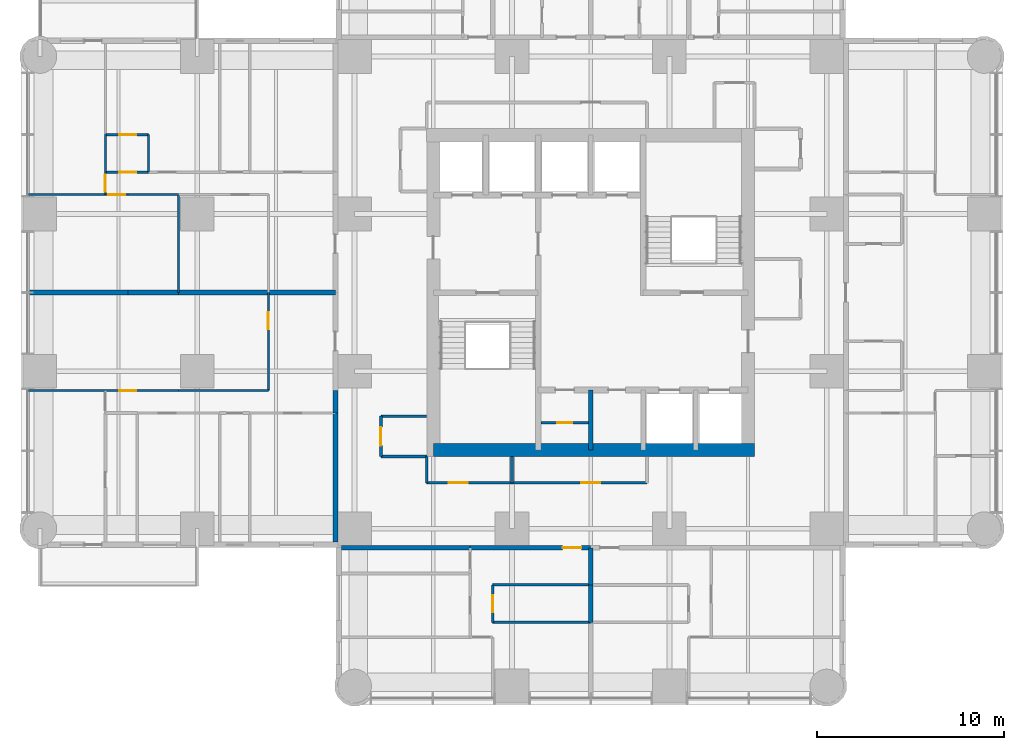
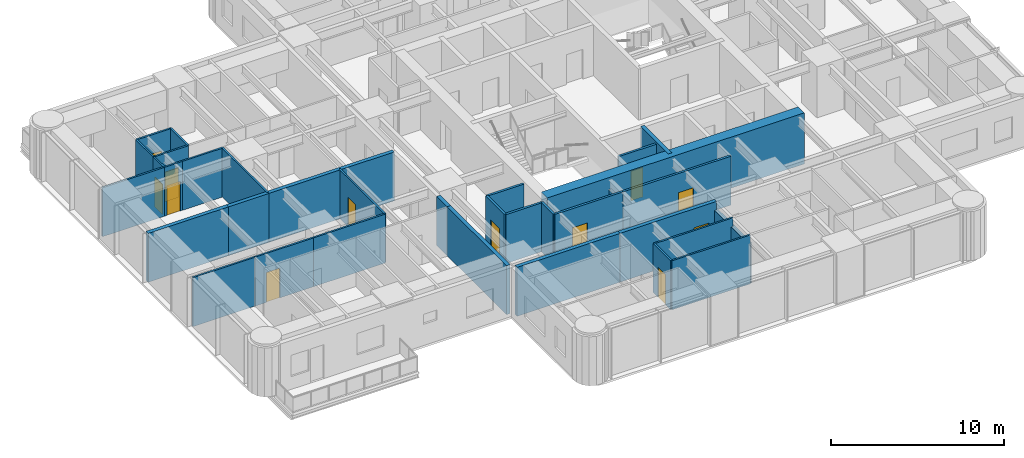
# One storey, part 5 of 11: 36 walls, 12 doors, 12 openings.
"""IFC4 building model written with IfcOpenShell, lengths in metres."""

from ifc_helpers import new_model, si_unit, direction, frame, frame_2d, origin, place, context, subcontext, project, spatial, rectangle, extrude, material, layer, layer_set, type_object, element, fill, save


model = new_model("IFC4")

# Units and contexts
model_context = context("Model", 3, precision=1e-05, world=origin(), true_north=direction((0.0, 1.0)))
body_context = subcontext(model_context, "Body", "Model", "MODEL_VIEW")
ifc_project = project(units=[si_unit("LENGTHUNIT", "METRE"), si_unit("AREAUNIT", "SQUARE_METRE"), si_unit("VOLUMEUNIT", "CUBIC_METRE"), si_unit("PLANEANGLEUNIT", "RADIAN"), si_unit("MASSUNIT", "GRAM", prefix="KILO")], contexts=[model_context])

# Site, building, storey
site_placement = place(None, origin())
site = spatial("IfcSite", under=ifc_project, at=site_placement, CompositionType="ELEMENT")
building_placement = place(site_placement, origin())
building = spatial("IfcBuilding", under=site, at=building_placement, Name="Torre Alcanfor", CompositionType="ELEMENT")
storey_placement = place(building_placement, frame((0.0, 0.0, 186.89990234375)))
storey = spatial("IfcBuildingStorey", under=building, at=storey_placement, Name="L48", CompositionType="ELEMENT", Elevation=186.89990234375)

# Wall, opening, door
ifc_material_1 = material(Name="Concrete block masonry, hollow blocks NMX-C-404 9 MPa", Category="masonry")
ifc_layer_1 = layer(ifc_material_1, 0.25)
ifc_layer_set_1 = layer_set([ifc_layer_1], Name="Apartment entrance wall 250 EI 60")
wall_type_1 = type_object("IfcWallType", Name="Apartment entrance wall 250 EI 60", PredefinedType="PARTITIONING", material=ifc_layer_set_1)
wall_1_placement = place(storey_placement, frame((29.39990234375, 15.77490234375, 0.0), z_axis=(0.0, 0.0, 1.0), x_axis=(-1.0, 0.0, 0.0)))
wall_1 = element("IfcWall", 1, at=wall_1_placement, inside=storey, type_object=wall_type_1, Name="Partition L48-CORR / L48-S2-LIVING", PredefinedType="PARTITIONING", context=body_context, shape_type="SweptSolid", body=[
    extrude(rectangle(XDim=6.428955078125, YDim=0.25, at=frame_2d((3.21435546875, 0.0))), origin(), (0.0, 0.0, 1.0), 3.4501953125),
])
opening_1_placement = place(wall_1_placement, frame((0.5, 0.0, 0.0)))
opening_1 = element("IfcOpeningElement", 2, at=opening_1_placement, cuts=wall_1, Name="Opening D-A1", PredefinedType="OPENING", context=body_context, shape_type="SweptSolid", body=[
    extrude(rectangle(XDim=1.0, YDim=2.10009765625, at=frame_2d((0.5, 1.050048828125))), frame((0.0, 0.135009765625, 0.0), z_axis=(0.0, -1.0, 0.0), x_axis=(1.0, 0.0, 0.0)), (0.0, 0.0, 1.0), 0.27001953125),
])
ifc_material_2 = material(Name="Galvanised steel sheet ASTM A653", Category="steel")
door_type_1 = type_object("IfcDoorType", Name="Apartment entrance door FD60 1000x2100", OperationType="SINGLE_SWING_LEFT", PredefinedType="DOOR", material=ifc_material_2)
door_1_placement = place(opening_1_placement, origin())
door_1 = element("IfcDoor", 3, at=door_1_placement, inside=storey, type_object=door_type_1, Name="Apartment entrance L48-S2", OperationType="SINGLE_SWING_LEFT", OverallHeight=2.10009765625, OverallWidth=1.0, PredefinedType="DOOR", context=body_context, shape_type="SweptSolid", body=[
    extrude(rectangle(XDim=1.0, YDim=2.10009765625, at=frame_2d((0.5, 1.050048828125))), frame((0.0, 0.02490234375, 0.0), z_axis=(0.0, -1.0, 0.0), x_axis=(1.0, 0.0, 0.0)), (0.0, 0.0, 1.0), 0.050048828125),
])
fill(opening_1, door_1)

# Walls
wall_2_placement = place(storey_placement, frame((22.970947265625, 15.77490234375, 0.0), z_axis=(0.0, 0.0, 1.0), x_axis=(-1.0, 0.0, 0.0)))
element("IfcWall", 4, at=wall_2_placement, inside=storey, type_object=wall_type_1, Name="Partition L48-CORR / L48-S2-BATH", PredefinedType="PARTITIONING", context=body_context, shape_type="SweptSolid", body=[
    extrude(rectangle(XDim=6.870849609375, YDim=0.25, at=frame_2d((3.435546875, 0.0))), origin(), (0.0, 0.0, 1.0), 3.4501953125),
])
wall_3_placement = place(storey_placement, frame((15.77490234375, 22.970947265625, 0.0), z_axis=(0.0, 0.0, 1.0), x_axis=(0.0, 1.0, 0.0)))
element("IfcWall", 5, at=wall_3_placement, inside=storey, type_object=wall_type_1, Name="Partition L48-CORR / L48-W1-HALL", PredefinedType="PARTITIONING", context=body_context, shape_type="SweptSolid", body=[
    extrude(rectangle(XDim=1.199951171875, YDim=0.25, at=frame_2d((0.60009765625, 0.0))), origin(), (0.0, 0.0, 1.0), 3.4501953125),
])
wall_4_placement = place(storey_placement, frame((15.77490234375, 16.10009765625, 0.0), z_axis=(0.0, 0.0, 1.0), x_axis=(0.0, 1.0, 0.0)))
element("IfcWall", 6, at=wall_4_placement, inside=storey, type_object=wall_type_1, Name="Partition L48-CORR / L48-W1-BED3", PredefinedType="PARTITIONING", context=body_context, shape_type="SweptSolid", body=[
    extrude(rectangle(XDim=6.870849609375, YDim=0.25, at=frame_2d((3.435546875, 0.0))), origin(), (0.0, 0.0, 1.0), 3.4501953125),
])
ifc_material_3 = material(Name="Gypsum board on steel studs", Category="steel")
ifc_layer_2 = layer(ifc_material_3, 0.1201171875)
ifc_layer_set_2 = layer_set([ifc_layer_2], Name="Apartment partition 120")
wall_type_2 = type_object("IfcWallType", Name="Apartment partition 120", PredefinedType="PARTITIONING", material=ifc_layer_set_2)
wall_5_placement = place(storey_placement, frame((29.39990234375, 11.800048828125, 0.0), z_axis=(0.0, 0.0, 1.0), x_axis=(-1.0, 0.0, 0.0)))
element("IfcWall", 7, at=wall_5_placement, inside=storey, type_object=wall_type_2, Name="Partition L48-S2-KITCHEN / L48-S2-LIVING", PredefinedType="PARTITIONING", context=body_context, shape_type="SweptSolid", body=[
    extrude(rectangle(XDim=5.22900390625, YDim=0.1201171875, at=frame_2d((2.614501953125, 0.0))), origin(), (0.0, 0.0, 1.0), 3.4501953125),
])

# Wall, opening, door
wall_6_placement = place(storey_placement, frame((24.1708984375, 11.800048828125, 0.0), z_axis=(0.0, 0.0, 1.0), x_axis=(0.0, 1.0, 0.0)))
wall_6 = element("IfcWall", 8, at=wall_6_placement, inside=storey, type_object=wall_type_2, Name="Partition L48-S2-KITCHEN / L48-S2-LIVING", PredefinedType="PARTITIONING", context=body_context, shape_type="SweptSolid", body=[
    extrude(rectangle(XDim=2.0, YDim=0.1201171875, at=frame_2d((1.0, 0.0))), origin(), (0.0, 0.0, 1.0), 3.4501953125),
])
opening_2_placement = place(wall_6_placement, frame((0.550048828125, 0.0, 0.0)))
opening_2 = element("IfcOpeningElement", 9, at=opening_2_placement, cuts=wall_6, Name="Opening D-R1", PredefinedType="OPENING", context=body_context, shape_type="SweptSolid", body=[
    extrude(rectangle(XDim=0.89990234375, YDim=2.10009765625, at=frame_2d((0.449951171875, 1.050048828125))), frame((0.0, 0.070068359375, 0.0), z_axis=(0.0, -1.0, 0.0), x_axis=(1.0, 0.0, 0.0)), (0.0, 0.0, 1.0), 0.14013671875),
])
ifc_material_4 = material(Name="Timber", Category="wood")
door_type_2 = type_object("IfcDoorType", Name="Internal door 900x2100", OperationType="SINGLE_SWING_LEFT", PredefinedType="DOOR", material=ifc_material_4)
door_2_placement = place(opening_2_placement, frame((0.89990234375, 0.0, 0.0), z_axis=(0.0, 0.0, 1.0), x_axis=(-1.0, 0.0, 0.0)))
door_2 = element("IfcDoor", 10, at=door_2_placement, inside=storey, type_object=door_type_2, Name="Door L48-S2 kitchen", OperationType="SINGLE_SWING_RIGHT", OverallHeight=2.10009765625, OverallWidth=0.89990234375, PredefinedType="DOOR", context=body_context, shape_type="SweptSolid", body=[
    extrude(rectangle(XDim=0.89990234375, YDim=2.10009765625, at=frame_2d((0.449951171875, 1.050048828125))), frame((0.0, 0.025146484375, 0.0), z_axis=(0.0, -1.0, 0.0), x_axis=(1.0, 0.0, 0.0)), (0.0, 0.0, 1.0), 0.050048828125),
])
fill(opening_2, door_2)

# Wall
wall_7_placement = place(storey_placement, frame((24.1708984375, 13.800048828125, 0.0), z_axis=(0.0, 0.0, 1.0), x_axis=(1.0, 0.0, 0.0)))
element("IfcWall", 11, at=wall_7_placement, inside=storey, type_object=wall_type_2, Name="Partition L48-S2-KITCHEN / L48-S2-LIVING", PredefinedType="PARTITIONING", context=body_context, shape_type="SweptSolid", body=[
    extrude(rectangle(XDim=5.22900390625, YDim=0.1201171875, at=frame_2d((2.614501953125, 0.0))), origin(), (0.0, 0.0, 1.0), 3.4501953125),
])

# Wall, opening, door
wall_8_placement = place(storey_placement, frame((12.199951171875, 29.39990234375, 0.0), z_axis=(0.0, 0.0, 1.0), x_axis=(0.0, -1.0, 0.0)))
wall_8 = element("IfcWall", 12, at=wall_8_placement, inside=storey, type_object=wall_type_2, Name="Partition L48-W1-ZAG / L48-W1-KITCHEN", PredefinedType="PARTITIONING", context=body_context, shape_type="SweptSolid", body=[
    extrude(rectangle(XDim=5.22900390625, YDim=0.1201171875, at=frame_2d((2.614501953125, 0.0))), origin(), (0.0, 0.0, 1.0), 3.4501953125),
])
opening_3_placement = place(wall_8_placement, frame((1.050048828125, 0.0, 0.0)))
opening_3 = element("IfcOpeningElement", 13, at=opening_3_placement, cuts=wall_8, Name="Opening D-R1", PredefinedType="OPENING", context=body_context, shape_type="SweptSolid", body=[
    extrude(rectangle(XDim=0.89990234375, YDim=2.10009765625, at=frame_2d((0.449951171875, 1.050048828125))), frame((0.0, 0.070068359375, 0.0), z_axis=(0.0, -1.0, 0.0), x_axis=(1.0, 0.0, 0.0)), (0.0, 0.0, 1.0), 0.14013671875),
])
door_3_placement = place(opening_3_placement, frame((0.89990234375, 0.0, 0.0), z_axis=(0.0, 0.0, 1.0), x_axis=(-1.0, 0.0, 0.0)))
door_3 = element("IfcDoor", 14, at=door_3_placement, inside=storey, type_object=door_type_2, Name="Door L48-W1 kitchen", OperationType="SINGLE_SWING_RIGHT", OverallHeight=2.10009765625, OverallWidth=0.89990234375, PredefinedType="DOOR", context=body_context, shape_type="SweptSolid", body=[
    extrude(rectangle(XDim=0.89990234375, YDim=2.10009765625, at=frame_2d((0.449951171875, 1.050048828125))), frame((0.0, 0.025146484375, 0.0), z_axis=(0.0, -1.0, 0.0), x_axis=(1.0, 0.0, 0.0)), (0.0, 0.0, 1.0), 0.050048828125),
])
fill(opening_3, door_3)

# Wall
wall_9_placement = place(storey_placement, frame((7.39990234375, 24.1708984375, 0.0), z_axis=(0.0, 0.0, 1.0), x_axis=(1.0, 0.0, 0.0)))
element("IfcWall", 15, at=wall_9_placement, inside=storey, type_object=wall_type_2, Name="Partition L48-W1-KITCHEN / L48-W1-HALL", PredefinedType="PARTITIONING", context=body_context, shape_type="SweptSolid", body=[
    extrude(rectangle(XDim=4.800048828125, YDim=0.1201171875, at=frame_2d((2.39990234375, 0.0))), origin(), (0.0, 0.0, 1.0), 3.4501953125),
])

# Wall, opening, door
wall_10_placement = place(storey_placement, frame((3.5, 24.1708984375, 0.0), z_axis=(0.0, 0.0, 1.0), x_axis=(1.0, 0.0, 0.0)))
wall_10 = element("IfcWall", 16, at=wall_10_placement, inside=storey, type_object=wall_type_2, Name="Partition L48-W1-LIVING / L48-W1-HALL", PredefinedType="PARTITIONING", context=body_context, shape_type="SweptSolid", body=[
    extrude(rectangle(XDim=3.89990234375, YDim=0.1201171875, at=frame_2d((1.949951171875, 0.0))), origin(), (0.0, 0.0, 1.0), 3.4501953125),
])
opening_4_placement = place(wall_10_placement, frame((0.75, 0.0, 0.0)))
opening_4 = element("IfcOpeningElement", 17, at=opening_4_placement, cuts=wall_10, Name="Opening D-R1", PredefinedType="OPENING", context=body_context, shape_type="SweptSolid", body=[
    extrude(rectangle(XDim=0.89990234375, YDim=2.10009765625, at=frame_2d((0.449951171875, 1.050048828125))), frame((0.0, 0.070068359375, 0.0), z_axis=(0.0, -1.0, 0.0), x_axis=(1.0, 0.0, 0.0)), (0.0, 0.0, 1.0), 0.14013671875),
])
door_4_placement = place(opening_4_placement, origin())
door_4 = element("IfcDoor", 18, at=door_4_placement, inside=storey, type_object=door_type_2, Name="Door L48-W1 living", OperationType="SINGLE_SWING_RIGHT", OverallHeight=2.10009765625, OverallWidth=0.89990234375, PredefinedType="DOOR", context=body_context, shape_type="SweptSolid", body=[
    extrude(rectangle(XDim=0.89990234375, YDim=2.10009765625, at=frame_2d((0.449951171875, 1.050048828125))), frame((0.0, 0.02490234375, 0.0), z_axis=(0.0, -1.0, 0.0), x_axis=(1.0, 0.0, 0.0)), (0.0, 0.0, 1.0), 0.050048828125),
])
fill(opening_4, door_4)

# Walls
wall_11_placement = place(storey_placement, frame((-0.64990234375, 24.1708984375, 0.0), z_axis=(0.0, 0.0, 1.0), x_axis=(1.0, 0.0, 0.0)))
element("IfcWall", 19, at=wall_11_placement, inside=storey, type_object=wall_type_2, Name="Partition L48-W1-LIVING / L48-W1-MASTER", PredefinedType="PARTITIONING", context=body_context, shape_type="SweptSolid", body=[
    extrude(rectangle(XDim=4.14990234375, YDim=0.1201171875, at=frame_2d((2.074951171875, 0.0))), origin(), (0.0, 0.0, 1.0), 3.4501953125),
])
wall_12_placement = place(storey_placement, frame((7.39990234375, 29.39990234375, 0.0), z_axis=(0.0, 0.0, 1.0), x_axis=(0.0, 1.0, 0.0)))
element("IfcWall", 20, at=wall_12_placement, inside=storey, type_object=wall_type_2, Name="Partition L48-W2-FAMILY / L48-W2-KITCHEN", PredefinedType="PARTITIONING", context=body_context, shape_type="SweptSolid", body=[
    extrude(rectangle(XDim=5.22900390625, YDim=0.1201171875, at=frame_2d((2.614501953125, 0.0))), origin(), (0.0, 0.0, 1.0), 3.4501953125),
])
wall_13_placement = place(storey_placement, frame((4.699951171875, 34.62890625, 0.0), z_axis=(0.0, 0.0, 1.0), x_axis=(1.0, 0.0, 0.0)))
element("IfcWall", 21, at=wall_13_placement, inside=storey, type_object=wall_type_2, Name="Partition L48-W2-KITCHEN / L48-W2-HALL", PredefinedType="PARTITIONING", context=body_context, shape_type="SweptSolid", body=[
    extrude(rectangle(XDim=2.699951171875, YDim=0.1201171875, at=frame_2d((1.35009765625, 0.0))), origin(), (0.0, 0.0, 1.0), 3.4501953125),
])

# Wall, opening, door
wall_14_placement = place(storey_placement, frame((3.5, 34.62890625, 0.0), z_axis=(0.0, 0.0, 1.0), x_axis=(1.0, 0.0, 0.0)))
wall_14 = element("IfcWall", 22, at=wall_14_placement, inside=storey, type_object=wall_type_2, Name="Partition L48-W2-LIVING / L48-W2-HALL", PredefinedType="PARTITIONING", context=body_context, shape_type="SweptSolid", body=[
    extrude(rectangle(XDim=1.199951171875, YDim=0.1201171875, at=frame_2d((0.60009765625, 0.0))), origin(), (0.0, 0.0, 1.0), 3.4501953125),
])
opening_5_placement = place(wall_14_placement, frame((0.14990234375, 0.0, 0.0)))
opening_5 = element("IfcOpeningElement", 23, at=opening_5_placement, cuts=wall_14, Name="Opening D-R1", PredefinedType="OPENING", context=body_context, shape_type="SweptSolid", body=[
    extrude(rectangle(XDim=0.89990234375, YDim=2.10009765625, at=frame_2d((0.449951171875, 1.050048828125))), frame((0.0, 0.070068359375, 0.0), z_axis=(0.0, -1.0, 0.0), x_axis=(1.0, 0.0, 0.0)), (0.0, 0.0, 1.0), 0.14013671875),
])
door_5_placement = place(opening_5_placement, frame((0.89990234375, 0.0, 0.0), z_axis=(0.0, 0.0, 1.0), x_axis=(-1.0, 0.0, 0.0)))
door_5 = element("IfcDoor", 24, at=door_5_placement, inside=storey, type_object=door_type_2, Name="Door L48-W2 living", OperationType="SINGLE_SWING_LEFT", OverallHeight=2.10009765625, OverallWidth=0.89990234375, PredefinedType="DOOR", context=body_context, shape_type="SweptSolid", body=[
    extrude(rectangle(XDim=0.89990234375, YDim=2.10009765625, at=frame_2d((0.449951171875, 1.050048828125))), frame((0.0, 0.025146484375, 0.0), z_axis=(0.0, -1.0, 0.0), x_axis=(1.0, 0.0, 0.0)), (0.0, 0.0, 1.0), 0.050048828125),
])
fill(opening_5, door_5)

# Wall
wall_15_placement = place(storey_placement, frame((-0.64990234375, 34.62890625, 0.0), z_axis=(0.0, 0.0, 1.0), x_axis=(1.0, 0.0, 0.0)))
element("IfcWall", 25, at=wall_15_placement, inside=storey, type_object=wall_type_2, Name="Partition L48-W2-LIVING / L48-W2-WGARD", PredefinedType="PARTITIONING", context=body_context, shape_type="SweptSolid", body=[
    extrude(rectangle(XDim=4.14990234375, YDim=0.1201171875, at=frame_2d((2.074951171875, 0.0))), origin(), (0.0, 0.0, 1.0), 3.4501953125),
])

# Wall, opening, door
wall_16_placement = place(storey_placement, frame((3.5, 35.8291015625, 0.0), z_axis=(0.0, 0.0, 1.0), x_axis=(1.0, 0.0, 0.0)))
wall_16 = element("IfcWall", 26, at=wall_16_placement, inside=storey, type_object=wall_type_2, Name="Partition L48-W2-HALL / L48-W2-VEST", PredefinedType="PARTITIONING", context=body_context, shape_type="SweptSolid", body=[
    extrude(rectangle(XDim=2.300048828125, YDim=0.1201171875, at=frame_2d((1.14990234375, 0.0))), origin(), (0.0, 0.0, 1.0), 3.4501953125),
])
opening_6_placement = place(wall_16_placement, frame((0.75, 0.0, 0.0)))
opening_6 = element("IfcOpeningElement", 27, at=opening_6_placement, cuts=wall_16, Name="Opening D-R1", PredefinedType="OPENING", context=body_context, shape_type="SweptSolid", body=[
    extrude(rectangle(XDim=0.89990234375, YDim=2.10009765625, at=frame_2d((0.449951171875, 1.050048828125))), frame((0.0, 0.070068359375, 0.0), z_axis=(0.0, -1.0, 0.0), x_axis=(1.0, 0.0, 0.0)), (0.0, 0.0, 1.0), 0.14013671875),
])
door_6_placement = place(opening_6_placement, origin())
door_6 = element("IfcDoor", 28, at=door_6_placement, inside=storey, type_object=door_type_2, Name="Door L48-W2 vest", OperationType="SINGLE_SWING_RIGHT", OverallHeight=2.10009765625, OverallWidth=0.89990234375, PredefinedType="DOOR", context=body_context, shape_type="SweptSolid", body=[
    extrude(rectangle(XDim=0.89990234375, YDim=2.10009765625, at=frame_2d((0.449951171875, 1.050048828125))), frame((0.0, 0.02490234375, 0.0), z_axis=(0.0, -1.0, 0.0), x_axis=(1.0, 0.0, 0.0)), (0.0, 0.0, 1.0), 0.050048828125),
])
fill(opening_6, door_6)

wall_17_placement = place(storey_placement, frame((3.5, 34.62890625, 0.0), z_axis=(0.0, 0.0, 1.0), x_axis=(0.0, 1.0, 0.0)))
wall_17 = element("IfcWall", 29, at=wall_17_placement, inside=storey, type_object=wall_type_2, Name="Partition L48-W2-HALL / L48-W2-WGARD", PredefinedType="PARTITIONING", context=body_context, shape_type="SweptSolid", body=[
    extrude(rectangle(XDim=1.2001953125, YDim=0.1201171875, at=frame_2d((0.60009765625, 0.0))), origin(), (0.0, 0.0, 1.0), 3.4501953125),
])
opening_7_placement = place(wall_17_placement, frame((0.15087890625, 0.0, 0.0)))
opening_7 = element("IfcOpeningElement", 30, at=opening_7_placement, cuts=wall_17, Name="Opening D-R1", PredefinedType="OPENING", context=body_context, shape_type="SweptSolid", body=[
    extrude(rectangle(XDim=0.89990234375, YDim=2.10009765625, at=frame_2d((0.449951171875, 1.050048828125))), frame((0.0, 0.070068359375, 0.0), z_axis=(0.0, -1.0, 0.0), x_axis=(1.0, 0.0, 0.0)), (0.0, 0.0, 1.0), 0.14013671875),
])
door_7_placement = place(opening_7_placement, origin())
door_7 = element("IfcDoor", 31, at=door_7_placement, inside=storey, type_object=door_type_2, Name="Door L48-W2 wgard", OperationType="SINGLE_SWING_LEFT", OverallHeight=2.10009765625, OverallWidth=0.89990234375, PredefinedType="DOOR", context=body_context, shape_type="SweptSolid", body=[
    extrude(rectangle(XDim=0.89990234375, YDim=2.10009765625, at=frame_2d((0.449951171875, 1.050048828125))), frame((0.0, 0.02490234375, 0.0), z_axis=(0.0, -1.0, 0.0), x_axis=(1.0, 0.0, 0.0)), (0.0, 0.0, 1.0), 0.050048828125),
])
fill(opening_7, door_7)

# Wall
wall_18_placement = place(storey_placement, frame((5.800048828125, 35.8291015625, 0.0), z_axis=(0.0, 0.0, 1.0), x_axis=(0.0, 1.0, 0.0)))
element("IfcWall", 32, at=wall_18_placement, inside=storey, type_object=wall_type_2, Name="Partition L48-W2-MASTER / L48-W2-VEST", PredefinedType="PARTITIONING", context=body_context, shape_type="SweptSolid", body=[
    extrude(rectangle(XDim=2.0, YDim=0.1201171875, at=frame_2d((1.0, 0.0))), origin(), (0.0, 0.0, 1.0), 3.4501953125),
])

# Wall, opening, door
wall_19_placement = place(storey_placement, frame((5.800048828125, 37.8291015625, 0.0), z_axis=(0.0, 0.0, 1.0), x_axis=(-1.0, 0.0, 0.0)))
wall_19 = element("IfcWall", 33, at=wall_19_placement, inside=storey, type_object=wall_type_2, Name="Partition L48-W2-MASTER / L48-W2-VEST", PredefinedType="PARTITIONING", context=body_context, shape_type="SweptSolid", body=[
    extrude(rectangle(XDim=2.300048828125, YDim=0.1201171875, at=frame_2d((1.14990234375, 0.0))), origin(), (0.0, 0.0, 1.0), 3.4501953125),
])
opening_8_placement = place(wall_19_placement, frame((0.64990234375, 0.0, 0.0)))
opening_8 = element("IfcOpeningElement", 34, at=opening_8_placement, cuts=wall_19, Name="Opening D-R1", PredefinedType="OPENING", context=body_context, shape_type="SweptSolid", body=[
    extrude(rectangle(XDim=0.89990234375, YDim=2.10009765625, at=frame_2d((0.449951171875, 1.050048828125))), frame((0.0, 0.070068359375, 0.0), z_axis=(0.0, -1.0, 0.0), x_axis=(1.0, 0.0, 0.0)), (0.0, 0.0, 1.0), 0.14013671875),
])
door_8_placement = place(opening_8_placement, origin())
door_8 = element("IfcDoor", 35, at=door_8_placement, inside=storey, type_object=door_type_2, Name="Door L48-W2 master", OperationType="SINGLE_SWING_LEFT", OverallHeight=2.10009765625, OverallWidth=0.89990234375, PredefinedType="DOOR", context=body_context, shape_type="SweptSolid", body=[
    extrude(rectangle(XDim=0.89990234375, YDim=2.10009765625, at=frame_2d((0.449951171875, 1.050048828125))), frame((0.0, 0.02490234375, 0.0), z_axis=(0.0, -1.0, 0.0), x_axis=(1.0, 0.0, 0.0)), (0.0, 0.0, 1.0), 0.050048828125),
])
fill(opening_8, door_8)

# Walls
wall_20_placement = place(storey_placement, frame((3.5, 35.8291015625, 0.0), z_axis=(0.0, 0.0, 1.0), x_axis=(0.0, 1.0, 0.0)))
element("IfcWall", 36, at=wall_20_placement, inside=storey, type_object=wall_type_2, Name="Partition L48-W2-VEST / L48-W2-WGARD", PredefinedType="PARTITIONING", context=body_context, shape_type="SweptSolid", body=[
    extrude(rectangle(XDim=2.0, YDim=0.1201171875, at=frame_2d((1.0, 0.0))), origin(), (0.0, 0.0, 1.0), 3.4501953125),
])
ifc_material_5 = material(Name="Concrete f'c 70 MPa", Category="concrete")
ifc_layer_3 = layer(ifc_material_5, 0.25)
ifc_layer_set_3 = layer_set([ifc_layer_3], Name="Core shaft wall 250 f'c70")
wall_type_3 = type_object("IfcWallType", Name="Core shaft wall 250 f'c70", PredefinedType="SHEAR", material=ifc_layer_set_3)
wall_21_placement = place(storey_placement, frame((29.39990234375, 21.0, 0.0), z_axis=(0.0, 0.0, 1.0), x_axis=(0.0, 1.0, 0.0)))
element("IfcWall", 37, at=wall_21_placement, inside=storey, type_object=wall_type_3, Name="Core wall X294S L48", PredefinedType="SHEAR", context=body_context, shape_type="SweptSolid", body=[
    extrude(rectangle(XDim=3.199951171875, YDim=0.25, at=frame_2d((1.60009765625, 0.0))), origin(), (0.0, 0.0, 1.0), 3.60009765625),
])
ifc_material_6 = material(Name="Concrete f'c 70 MPa", Category="concrete")
ifc_layer_4 = layer(ifc_material_6, 0.699951171875)
ifc_layer_set_4 = layer_set([ifc_layer_4], Name="Core wall 700 f'c70")
wall_type_4 = type_object("IfcWallType", Name="Core wall 700 f'c70", PredefinedType="SHEAR", material=ifc_layer_set_4)
wall_22_placement = place(storey_placement, frame((21.0, 21.0, 0.0), z_axis=(0.0, 0.0, 1.0), x_axis=(1.0, 0.0, 0.0)))
element("IfcWall", 38, at=wall_22_placement, inside=storey, type_object=wall_type_4, Name="Core wall OUT-S L48", PredefinedType="SHEAR", context=body_context, shape_type="SweptSolid", body=[
    extrude(rectangle(XDim=17.14990234375, YDim=0.699951171875, at=frame_2d((8.574951171875, 0.0))), origin(), (0.0, 0.0, 1.0), 3.60009765625),
])
ifc_material_7 = material(Name="Concrete block masonry, hollow blocks NMX-C-404 9 MPa", Category="masonry")
ifc_layer_5 = layer(ifc_material_7, 0.25)
ifc_layer_set_5 = layer_set([ifc_layer_5], Name="Party wall 250 EI 60")
wall_type_5 = type_object("IfcWallType", Name="Party wall 250 EI 60", PredefinedType="PARTITIONING", material=ifc_layer_set_5)
wall_23_placement = place(storey_placement, frame((29.39990234375, 13.800048828125, 0.0), z_axis=(0.0, 0.0, 1.0), x_axis=(0.0, -1.0, 0.0)))
element("IfcWall", 39, at=wall_23_placement, inside=storey, type_object=wall_type_5, Name="Partition L48-S1-BATH / L48-S2-KITCHEN", PredefinedType="PARTITIONING", context=body_context, shape_type="SweptSolid", body=[
    extrude(rectangle(XDim=2.0, YDim=0.25, at=frame_2d((1.0, 0.0))), origin(), (0.0, 0.0, 1.0), 2.84814453125),
])
wall_24_placement = place(storey_placement, frame((29.39990234375, 13.800048828125, 0.0), z_axis=(0.0, 0.0, 1.0), x_axis=(0.0, 1.0, 0.0)))
element("IfcWall", 40, at=wall_24_placement, inside=storey, type_object=wall_type_5, Name="Partition L48-S1-LIVING / L48-S2-LIVING", PredefinedType="PARTITIONING", context=body_context, shape_type="SweptSolid", body=[
    extrude(rectangle(XDim=1.974853515625, YDim=0.25, at=frame_2d((0.9873046875, 0.0))), origin(), (0.0, 0.0, 1.0), 2.84814453125),
])
wall_25_placement = place(storey_placement, frame((15.77490234375, 29.39990234375, 0.0), z_axis=(0.0, 0.0, 1.0), x_axis=(-1.0, 0.0, 0.0)))
element("IfcWall", 41, at=wall_25_placement, inside=storey, type_object=wall_type_5, Name="Partition L48-W1-ZAG / L48-W2-ZAG", PredefinedType="PARTITIONING", context=body_context, shape_type="SweptSolid", body=[
    extrude(rectangle(XDim=3.574951171875, YDim=0.25, at=frame_2d((1.78759765625, 0.0))), origin(), (0.0, 0.0, 1.0), 3.4501953125),
])
wall_26_placement = place(storey_placement, frame((12.199951171875, 29.39990234375, 0.0), z_axis=(0.0, 0.0, 1.0), x_axis=(-1.0, 0.0, 0.0)))
element("IfcWall", 42, at=wall_26_placement, inside=storey, type_object=wall_type_5, Name="Partition L48-W1-KITCHEN / L48-W2-FAMILY", PredefinedType="PARTITIONING", context=body_context, shape_type="SweptSolid", body=[
    extrude(rectangle(XDim=4.800048828125, YDim=0.25, at=frame_2d((2.39990234375, 0.0))), origin(), (0.0, 0.0, 1.0), 3.4501953125),
])
wall_27_placement = place(storey_placement, frame((7.39990234375, 29.39990234375, 0.0), z_axis=(0.0, 0.0, 1.0), x_axis=(-1.0, 0.0, 0.0)))
element("IfcWall", 43, at=wall_27_placement, inside=storey, type_object=wall_type_5, Name="Partition L48-W1-LIVING / L48-W2-KITCHEN", PredefinedType="PARTITIONING", context=body_context, shape_type="SweptSolid", body=[
    extrude(rectangle(XDim=2.699951171875, YDim=0.25, at=frame_2d((1.35009765625, 0.0))), origin(), (0.0, 0.0, 1.0), 3.4501953125),
])
wall_28_placement = place(storey_placement, frame((4.699951171875, 29.39990234375, 0.0), z_axis=(0.0, 0.0, 1.0), x_axis=(-1.0, 0.0, 0.0)))
element("IfcWall", 44, at=wall_28_placement, inside=storey, type_object=wall_type_5, Name="Partition L48-W1-LIVING / L48-W2-LIVING", PredefinedType="PARTITIONING", context=body_context, shape_type="SweptSolid", body=[
    extrude(rectangle(XDim=5.349853515625, YDim=0.25, at=frame_2d((2.6748046875, 0.0))), origin(), (0.0, 0.0, 1.0), 3.4501953125),
])
ifc_material_8 = material(Name="Concrete block masonry, hollow blocks NMX-C-404 9 MPa", Category="masonry")
ifc_layer_6 = layer(ifc_material_8, 0.14990234375)
ifc_layer_set_6 = layer_set([ifc_layer_6], Name="Residents' room partition 150")
wall_type_6 = type_object("IfcWallType", Name="Residents' room partition 150", PredefinedType="PARTITIONING", material=ifc_layer_set_6)
wall_29_placement = place(storey_placement, frame((20.64990234375, 20.64990234375, 0.0), z_axis=(0.0, 0.0, 1.0), x_axis=(0.0, -1.0, 0.0)))
element("IfcWall", 45, at=wall_29_placement, inside=storey, type_object=wall_type_6, Name="Partition L48-CORR / L48-G05", PredefinedType="PARTITIONING", context=body_context, shape_type="SweptSolid", body=[
    extrude(rectangle(XDim=1.39990234375, YDim=0.14990234375, at=frame_2d((0.699951171875, 0.0))), origin(), (0.0, 0.0, 1.0), 3.4501953125),
])

# Wall, opening, door
wall_30_placement = place(storey_placement, frame((20.64990234375, 19.25, 0.0), z_axis=(0.0, 0.0, 1.0), x_axis=(1.0, 0.0, 0.0)))
wall_30 = element("IfcWall", 46, at=wall_30_placement, inside=storey, type_object=wall_type_6, Name="Partition L48-CORR / L48-G05", PredefinedType="PARTITIONING", context=body_context, shape_type="SweptSolid", body=[
    extrude(rectangle(XDim=4.550048828125, YDim=0.14990234375, at=frame_2d((2.27490234375, 0.0))), origin(), (0.0, 0.0, 1.0), 3.4501953125),
])
opening_9_placement = place(wall_30_placement, frame((1.175048828125, 0.0, 0.0)))
opening_9 = element("IfcOpeningElement", 47, at=opening_9_placement, cuts=wall_30, Name="Opening D-M1", PredefinedType="OPENING", context=body_context, shape_type="SweptSolid", body=[
    extrude(rectangle(XDim=1.0, YDim=2.10009765625, at=frame_2d((0.5, 1.050048828125))), frame((0.0, 0.0849609375, 0.0), z_axis=(0.0, -1.0, 0.0), x_axis=(1.0, 0.0, 0.0)), (0.0, 0.0, 1.0), 0.169921875),
])
ifc_material_9 = material(Name="Timber", Category="wood")
door_type_3 = type_object("IfcDoorType", Name="Residents' room door 1000x2100", OperationType="SINGLE_SWING_LEFT", PredefinedType="DOOR", material=ifc_material_9)
door_9_placement = place(opening_9_placement, origin())
door_9 = element("IfcDoor", 48, at=door_9_placement, inside=storey, type_object=door_type_3, Name="Door L48-G05 linen store", OperationType="SINGLE_SWING_LEFT", OverallHeight=2.10009765625, OverallWidth=1.0, PredefinedType="DOOR", context=body_context, shape_type="SweptSolid", body=[
    extrude(rectangle(XDim=1.0, YDim=2.10009765625, at=frame_2d((0.5, 1.050048828125))), frame((0.0, 0.02490234375, 0.0), z_axis=(0.0, -1.0, 0.0), x_axis=(1.0, 0.0, 0.0)), (0.0, 0.0, 1.0), 0.050048828125),
])
fill(opening_9, door_9)

wall_31_placement = place(storey_placement, frame((25.199951171875, 19.25, 0.0), z_axis=(0.0, 0.0, 1.0), x_axis=(1.0, 0.0, 0.0)))
wall_31 = element("IfcWall", 49, at=wall_31_placement, inside=storey, type_object=wall_type_6, Name="Partition L48-CORR / L48-G06", PredefinedType="PARTITIONING", context=body_context, shape_type="SweptSolid", body=[
    extrude(rectangle(XDim=7.199951171875, YDim=0.14990234375, at=frame_2d((3.60009765625, 0.0))), origin(), (0.0, 0.0, 1.0), 3.4501953125),
])
opening_10_placement = place(wall_31_placement, frame((3.699951171875, 0.0, 0.0)))
opening_10 = element("IfcOpeningElement", 50, at=opening_10_placement, cuts=wall_31, Name="Opening D-M1", PredefinedType="OPENING", context=body_context, shape_type="SweptSolid", body=[
    extrude(rectangle(XDim=1.0, YDim=2.10009765625, at=frame_2d((0.5, 1.050048828125))), frame((0.0, 0.0849609375, 0.0), z_axis=(0.0, -1.0, 0.0), x_axis=(1.0, 0.0, 0.0)), (0.0, 0.0, 1.0), 0.169921875),
])
door_10_placement = place(opening_10_placement, origin())
door_10 = element("IfcDoor", 51, at=door_10_placement, inside=storey, type_object=door_type_3, Name="Door L48-G06 pram and wheelchair store", OperationType="SINGLE_SWING_RIGHT", OverallHeight=2.10009765625, OverallWidth=1.0, PredefinedType="DOOR", context=body_context, shape_type="SweptSolid", body=[
    extrude(rectangle(XDim=1.0, YDim=2.10009765625, at=frame_2d((0.5, 1.050048828125))), frame((0.0, 0.02490234375, 0.0), z_axis=(0.0, -1.0, 0.0), x_axis=(1.0, 0.0, 0.0)), (0.0, 0.0, 1.0), 0.050048828125),
])
fill(opening_10, door_10)

# Wall
wall_32_placement = place(storey_placement, frame((20.64990234375, 22.800048828125, 0.0), z_axis=(0.0, 0.0, 1.0), x_axis=(-1.0, 0.0, 0.0)))
element("IfcWall", 52, at=wall_32_placement, inside=storey, type_object=wall_type_6, Name="Partition L48-CORR / L48-G07", PredefinedType="PARTITIONING", context=body_context, shape_type="SweptSolid", body=[
    extrude(rectangle(XDim=2.449951171875, YDim=0.14990234375, at=frame_2d((1.22509765625, 0.0))), origin(), (0.0, 0.0, 1.0), 3.4501953125),
])

# Wall, opening, door
wall_33_placement = place(storey_placement, frame((18.199951171875, 22.800048828125, 0.0), z_axis=(0.0, 0.0, 1.0), x_axis=(0.0, -1.0, 0.0)))
wall_33 = element("IfcWall", 53, at=wall_33_placement, inside=storey, type_object=wall_type_6, Name="Partition L48-CORR / L48-G07", PredefinedType="PARTITIONING", context=body_context, shape_type="SweptSolid", body=[
    extrude(rectangle(XDim=2.150146484375, YDim=0.14990234375, at=frame_2d((1.0751953125, 0.0))), origin(), (0.0, 0.0, 1.0), 3.4501953125),
])
opening_11_placement = place(wall_33_placement, frame((0.574951171875, 0.0, 0.0)))
opening_11 = element("IfcOpeningElement", 54, at=opening_11_placement, cuts=wall_33, Name="Opening D-M1", PredefinedType="OPENING", context=body_context, shape_type="SweptSolid", body=[
    extrude(rectangle(XDim=1.0, YDim=2.10009765625, at=frame_2d((0.5, 1.050048828125))), frame((0.0, 0.0849609375, 0.0), z_axis=(0.0, -1.0, 0.0), x_axis=(1.0, 0.0, 0.0)), (0.0, 0.0, 1.0), 0.169921875),
])
door_11_placement = place(opening_11_placement, origin())
door_11 = element("IfcDoor", 55, at=door_11_placement, inside=storey, type_object=door_type_3, Name="Door L48-G07 residents' storage", OperationType="SINGLE_SWING_LEFT", OverallHeight=2.10009765625, OverallWidth=1.0, PredefinedType="DOOR", context=body_context, shape_type="SweptSolid", body=[
    extrude(rectangle(XDim=1.0, YDim=2.10009765625, at=frame_2d((0.5, 1.050048828125))), frame((0.0, 0.02490234375, 0.0), z_axis=(0.0, -1.0, 0.0), x_axis=(1.0, 0.0, 0.0)), (0.0, 0.0, 1.0), 0.050048828125),
])
fill(opening_11, door_11)

# Walls
wall_34_placement = place(storey_placement, frame((18.199951171875, 20.64990234375, 0.0), z_axis=(0.0, 0.0, 1.0), x_axis=(1.0, 0.0, 0.0)))
element("IfcWall", 56, at=wall_34_placement, inside=storey, type_object=wall_type_6, Name="Partition L48-CORR / L48-G07", PredefinedType="PARTITIONING", context=body_context, shape_type="SweptSolid", body=[
    extrude(rectangle(XDim=2.449951171875, YDim=0.14990234375, at=frame_2d((1.22509765625, 0.0))), origin(), (0.0, 0.0, 1.0), 3.4501953125),
])
wall_35_placement = place(storey_placement, frame((25.199951171875, 19.25, 0.0), z_axis=(0.0, 0.0, 1.0), x_axis=(0.0, 1.0, 0.0)))
element("IfcWall", 57, at=wall_35_placement, inside=storey, type_object=wall_type_6, Name="Partition L48-G05 / L48-G06", PredefinedType="PARTITIONING", context=body_context, shape_type="SweptSolid", body=[
    extrude(rectangle(XDim=1.39990234375, YDim=0.14990234375, at=frame_2d((0.699951171875, 0.0))), origin(), (0.0, 0.0, 1.0), 2.766845703125),
])

# Wall, opening, door
wall_36_placement = place(storey_placement, frame((26.75, 22.449951171875, 0.0), z_axis=(0.0, 0.0, 1.0), x_axis=(1.0, 0.0, 0.0)))
wall_36 = element("IfcWall", 58, at=wall_36_placement, inside=storey, type_object=wall_type_6, Name="Partition L48-PA1R / L48-PA1C", PredefinedType="PARTITIONING", context=body_context, shape_type="SweptSolid", body=[
    extrude(rectangle(XDim=2.52490234375, YDim=0.14990234375, at=frame_2d((1.262451171875, 0.0))), origin(), (0.0, 0.0, 1.0), 3.4501953125),
])
opening_12_placement = place(wall_36_placement, frame((0.862548828125, 0.0, 0.0)))
opening_12 = element("IfcOpeningElement", 59, at=opening_12_placement, cuts=wall_36, Name="Opening D-R2", PredefinedType="OPENING", context=body_context, shape_type="SweptSolid", body=[
    extrude(rectangle(XDim=0.800048828125, YDim=2.10009765625, at=frame_2d((0.39990234375, 1.050048828125))), frame((0.0, 0.0849609375, 0.0), z_axis=(0.0, -1.0, 0.0), x_axis=(1.0, 0.0, 0.0)), (0.0, 0.0, 1.0), 0.169921875),
])
ifc_material_10 = material(Name="Timber", Category="wood")
door_type_4 = type_object("IfcDoorType", Name="Bathroom door 800x2100", OperationType="SINGLE_SWING_LEFT", PredefinedType="DOOR", material=ifc_material_10)
door_12_placement = place(opening_12_placement, frame((0.800048828125, 0.0, 0.0), z_axis=(0.0, 0.0, 1.0), x_axis=(-1.0, 0.0, 0.0)))
door_12 = element("IfcDoor", 60, at=door_12_placement, inside=storey, type_object=door_type_4, Name="Battery and UPS cupboard door L48", OperationType="SINGLE_SWING_RIGHT", OverallHeight=2.10009765625, OverallWidth=0.800048828125, PredefinedType="DOOR", context=body_context, shape_type="SweptSolid", body=[
    extrude(rectangle(XDim=0.800048828125, YDim=2.10009765625, at=frame_2d((0.400146484375, 1.050048828125))), frame((0.0, 0.025146484375, 0.0), z_axis=(0.0, -1.0, 0.0), x_axis=(1.0, 0.0, 0.0)), (0.0, 0.0, 1.0), 0.050048828125),
])
fill(opening_12, door_12)

save(model, "model.ifc")
